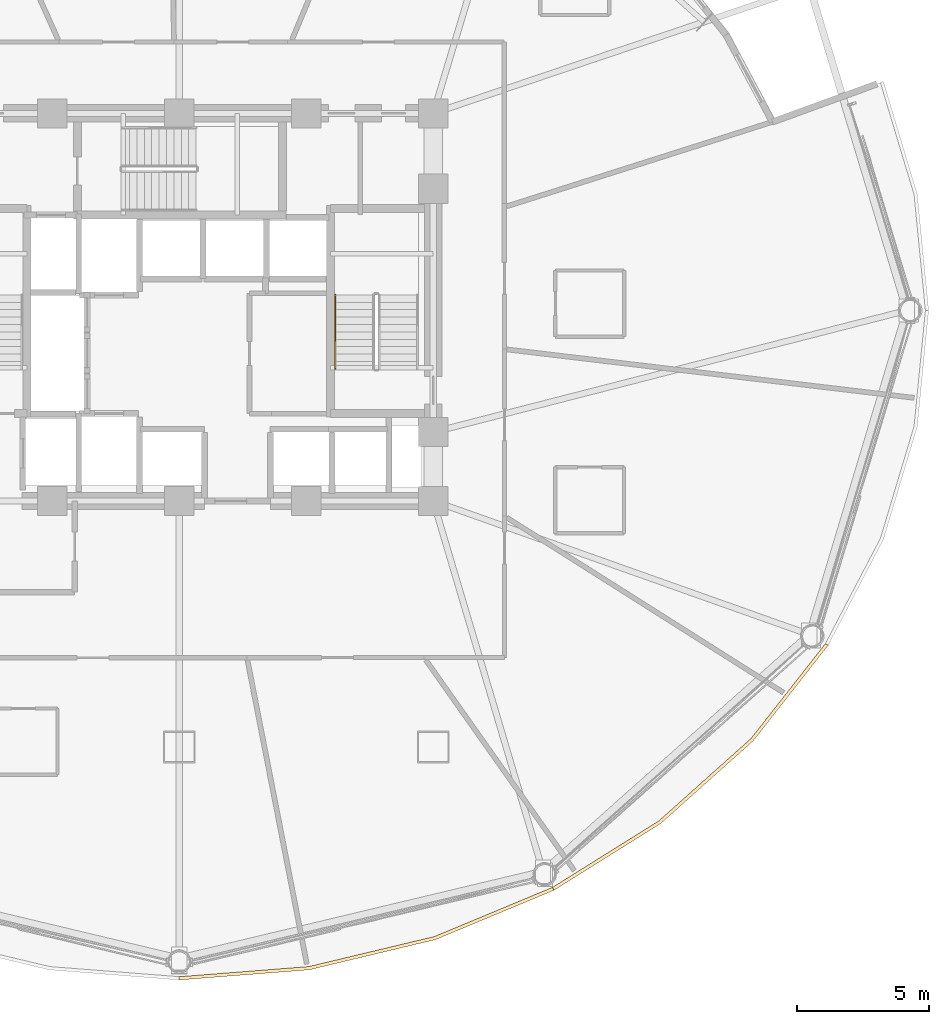
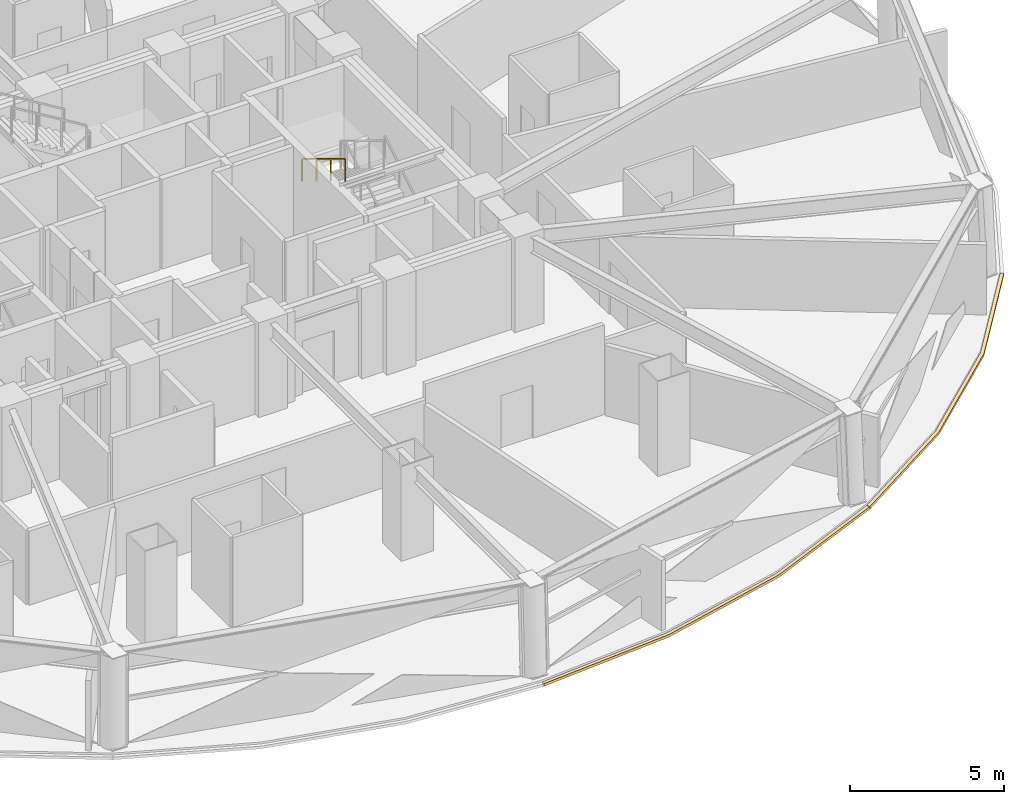
# One storey, part 14 of 16: 2 coverings, 1 railing.
"""IFC4 building model written with IfcOpenShell, lengths in metres."""

from ifc_helpers import new_model, si_unit, direction, frame, origin, origin_2d, place, context, subcontext, project, spatial, polyline, rectangle, outline, extrude, material, layer, layer_set, type_object, element, save


model = new_model("IFC4")

# Units and contexts
model_context = context("Model", 3, precision=1e-05, world=origin(), true_north=direction((0.0, 1.0)))
body_context = subcontext(model_context, "Body", "Model", "MODEL_VIEW")
ifc_project = project(units=[si_unit("LENGTHUNIT", "METRE"), si_unit("AREAUNIT", "SQUARE_METRE"), si_unit("VOLUMEUNIT", "CUBIC_METRE"), si_unit("PLANEANGLEUNIT", "RADIAN"), si_unit("MASSUNIT", "GRAM", prefix="KILO")], contexts=[model_context])

# Site, building, storey
site_placement = place(None, origin())
site = spatial("IfcSite", under=ifc_project, at=site_placement, CompositionType="ELEMENT")
building_placement = place(site_placement, origin())
building = spatial("IfcBuilding", under=site, at=building_placement, Name="Vantalir Tower", CompositionType="ELEMENT")
storey_placement = place(building_placement, frame((0.0, 0.0, 75.75)))
storey = spatial("IfcBuildingStorey", under=building, at=storey_placement, Name="L18", CompositionType="ELEMENT", Elevation=75.75)

# Coverings
ifc_material_1 = material(Name="Anodised champagne aluminium sill fascia", Category="aluminium")
ifc_layer = layer(ifc_material_1, 0.125)
ifc_layer_set = layer_set([ifc_layer], Name="Anodised champagne aluminium sill fascia")
covering_type = type_object("IfcCoveringType", Name="COV-SLAB-FASCIA-125", PredefinedType="CLADDING", material=ifc_layer_set)
covering_1_placement = place(storey_placement, frame((0.0, 0.0, -0.179931640625)))
element("IfcCovering", 1, at=covering_1_placement, inside=storey, type_object=covering_type, Name="L18 Perimeter Slab-Edge Sill Fascia 10", PredefinedType="CLADDING", context=body_context, shape_type="SweptSolid", body=[
    extrude(outline(polyline([(31.5, -0.303955078125), (36.4189453125, 0.080078125), (41.18798828125, 1.221923828125), (45.6630859375, 3.0859375), (45.60009765625, 3.194091796875), (41.14501953125, 1.339111328125), (36.39697265625, 0.2041015625), (31.5, -0.178955078125), (31.5, -0.303955078125)])), origin(), (0.0, 0.0, 1.0), 0.10498046875),
])
covering_2_placement = place(storey_placement, frame((0.0, 0.0, -0.179931640625)))
element("IfcCovering", 2, at=covering_2_placement, inside=storey, type_object=covering_type, Name="L18 Perimeter Slab-Edge Sill Fascia 11", PredefinedType="CLADDING", context=body_context, shape_type="SweptSolid", body=[
    extrude(outline(polyline([(45.6630859375, 3.0859375), (49.70703125, 5.615966796875), (53.197998046875, 8.735107421875), (56.030029296875, 12.347900390625), (55.922119140625, 12.409912109375), (53.10205078125, 8.81494140625), (49.626953125, 5.7119140625), (45.60009765625, 3.194091796875), (45.6630859375, 3.0859375)])), origin(), (0.0, 0.0, 1.0), 0.10498046875),
])

# Railing
ifc_material_2 = material(Name="Brushed stainless steel tubular handrail", Category="steel")
railing_type = type_object("IfcRailingType", Name="RAL-HANDRAIL-900", PredefinedType="HANDRAIL", material=ifc_material_2)
railing_placement = place(storey_placement, frame((37.39990234375, 25.590087890625, 2.04541015625)))
element("IfcRailing", 3, at=railing_placement, inside=storey, type_object=railing_type, Name="L18 ST2 stair handrail 2", PredefinedType="HANDRAIL", context=body_context, shape_type="SweptSolid", body=[
    extrude(rectangle(XDim=0.048095703125, YDim=0.048095703125, at=origin_2d()), frame((0.0, 0.0, 0.8759765625), z_axis=(0.0, -0.854169791009, 0.51999420009), x_axis=(1.0, 0.0, 0.0)), (0.0, 0.0, 1.0), 3.278076171875),
    extrude(rectangle(XDim=0.0419921875, YDim=0.0419921875, at=origin_2d()), origin(), (0.0, 0.0, 1.0), 0.851806640625),
    extrude(rectangle(XDim=0.0419921875, YDim=0.0419921875, at=origin_2d()), frame((0.0, -0.933349609375, 0.568115234375)), (0.0, 0.0, 1.0), 0.851806640625),
    extrude(rectangle(XDim=0.0419921875, YDim=0.0419921875, at=origin_2d()), frame((0.0, -1.86669921875, 1.136474609375)), (0.0, 0.0, 1.0), 0.851806640625),
    extrude(rectangle(XDim=0.0419921875, YDim=0.0419921875, at=origin_2d()), frame((0.0, -2.800048828125, 1.70458984375)), (0.0, 0.0, 1.0), 0.851806640625),
])

save(model, "model.ifc")
